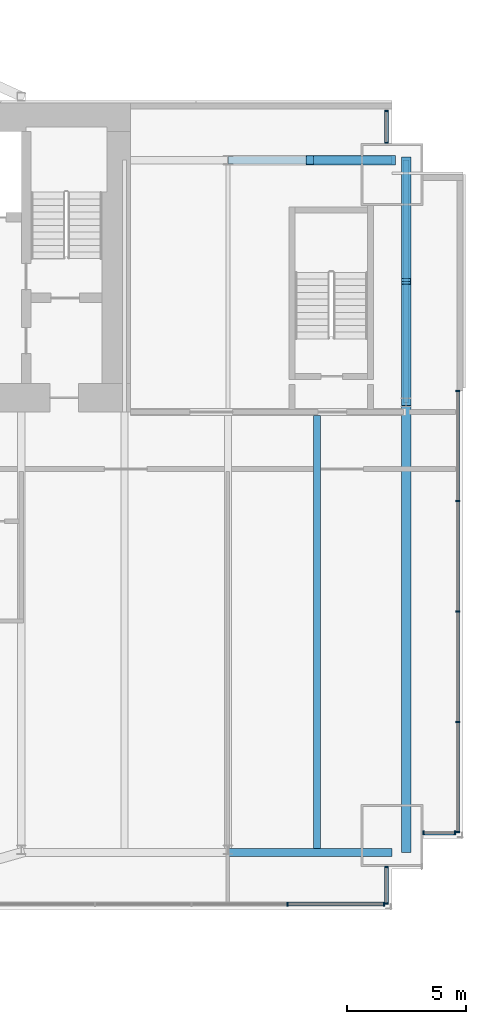
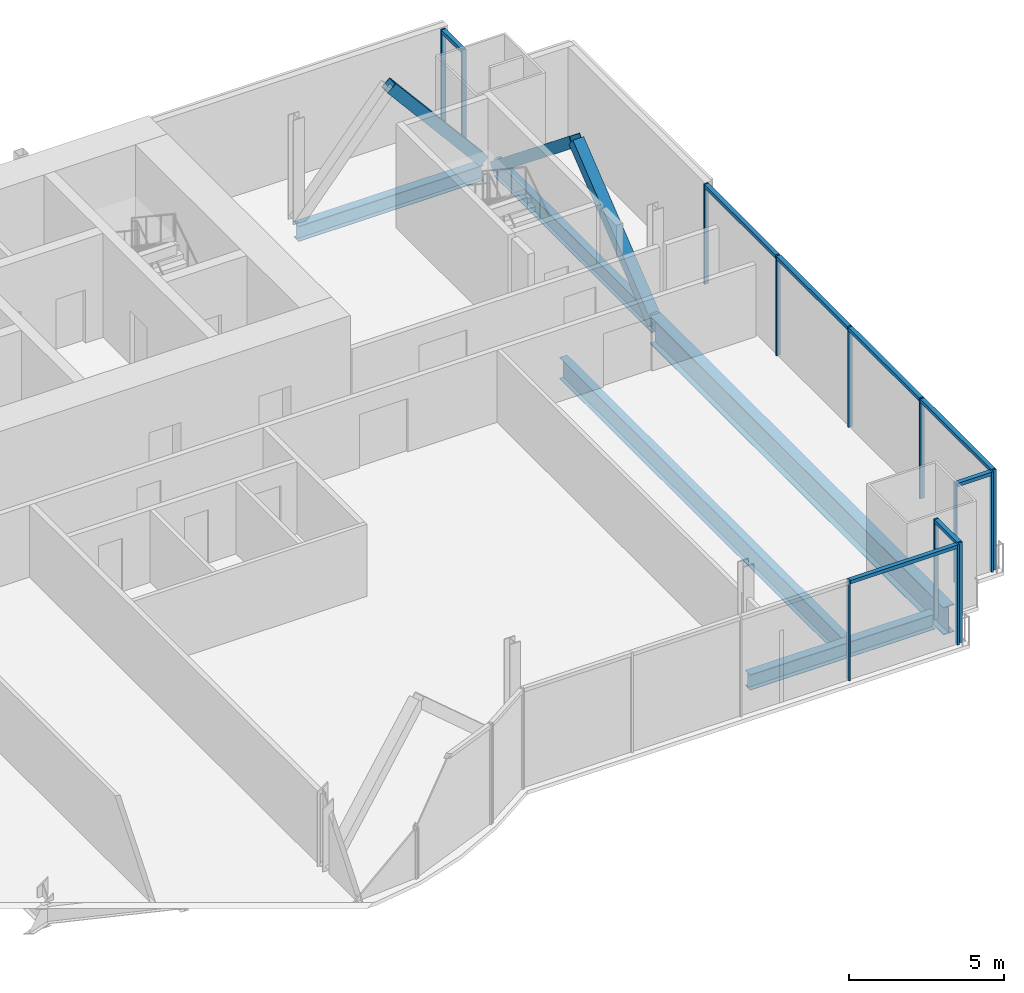
# One storey, part 12 of 20: 24 members, 5 beams, 5 elements without a shape of their own.
"""IFC4 building model written with IfcOpenShell, lengths in metres."""

from ifc_helpers import new_model, si_unit, direction, frame, origin, origin_2d, place, context, subcontext, project, spatial, rectangle, hollow_rectangle, i_section, extrude, material, material_profile, profile_set, type_object, element, aggregate, save


model = new_model("IFC4")

# Units and contexts
model_context = context("Model", 3, precision=1e-05, world=origin(), true_north=direction((0.0, 1.0)))
body_context = subcontext(model_context, "Body", "Model", "MODEL_VIEW")
ifc_project = project(units=[si_unit("LENGTHUNIT", "METRE"), si_unit("AREAUNIT", "SQUARE_METRE"), si_unit("VOLUMEUNIT", "CUBIC_METRE"), si_unit("PLANEANGLEUNIT", "RADIAN"), si_unit("MASSUNIT", "GRAM", prefix="KILO")], contexts=[model_context])

# Site, building, storey
site_placement = place(None, origin())
site = spatial("IfcSite", under=ifc_project, at=site_placement, CompositionType="ELEMENT")
building_placement = place(site_placement, origin())
building = spatial("IfcBuilding", under=site, at=building_placement, Name="Bicima Exchange Tower", CompositionType="ELEMENT")
storey_placement = place(building_placement, frame((0.0, 0.0, 177.300048828125)))
storey = spatial("IfcBuildingStorey", under=building, at=storey_placement, Name="L39", CompositionType="ELEMENT", Elevation=177.300048828125)

# Curtain wall, members
ifc_material_1 = material(Name="Anodised bronze aluminium", Category="aluminium")
curtain_wall_type_1 = type_object("IfcCurtainWallType", Name="End face glass wall", PredefinedType="NOTDEFINED", material=ifc_material_1)
curtain_wall_1_placement = place(storey_placement, origin())
curtain_wall_1 = element("IfcCurtainWall", 1, at=curtain_wall_1_placement, inside=storey, type_object=curtain_wall_type_1, Name="End face glass wall L39 run 19", PredefinedType="NOTDEFINED")
ifc_material_profile_1 = material_profile(ifc_material_1, rectangle(XDim=0.159912109375, YDim=0.06005859375, at=origin_2d()))
ifc_profile_set_1 = profile_set([ifc_material_profile_1], Name="Anodised bronze aluminium")
member_type_1 = type_object("IfcMemberType", Name="End face glass wall mullion 60 x 160", PredefinedType="MULLION", material=ifc_profile_set_1)
member_1_placement = place(storey_placement, frame((35.77001953125, -30.68798828125, 0.0), z_axis=(0.0, 0.0, 1.0), x_axis=(-1.0, 0.0, 0.0)))
member_1 = element("IfcMember", 2, at=member_1_placement, type_object=member_type_1, Name="End face glass wall mullion 1", PredefinedType="MULLION", context=body_context, shape_type="SweptSolid", body=[
    extrude(rectangle(XDim=0.159912109375, YDim=0.06005859375, at=origin_2d()), origin(), (0.0, 0.0, 1.0), 3.949951171875),
])
member_2_placement = place(storey_placement, frame((35.77001953125, -26.04345703125, 0.0), z_axis=(0.0, 0.0, 1.0), x_axis=(-1.0, 0.0, 0.0)))
member_2 = element("IfcMember", 3, at=member_2_placement, type_object=member_type_1, Name="End face glass wall mullion 2", PredefinedType="MULLION", context=body_context, shape_type="SweptSolid", body=[
    extrude(rectangle(XDim=0.159912109375, YDim=0.06005859375, at=origin_2d()), origin(), (0.0, 0.0, 1.0), 3.949951171875),
])
member_3_placement = place(storey_placement, frame((35.77001953125, -21.39892578125, 0.0), z_axis=(0.0, 0.0, 1.0), x_axis=(-1.0, 0.0, 0.0)))
member_3 = element("IfcMember", 4, at=member_3_placement, type_object=member_type_1, Name="End face glass wall mullion 3", PredefinedType="MULLION", context=body_context, shape_type="SweptSolid", body=[
    extrude(rectangle(XDim=0.159912109375, YDim=0.06005859375, at=origin_2d()), origin(), (0.0, 0.0, 1.0), 3.949951171875),
])
member_4_placement = place(storey_placement, frame((35.77001953125, -16.75439453125, 0.0), z_axis=(0.0, 0.0, 1.0), x_axis=(-1.0, 0.0, 0.0)))
member_4 = element("IfcMember", 5, at=member_4_placement, type_object=member_type_1, Name="End face glass wall mullion 4", PredefinedType="MULLION", context=body_context, shape_type="SweptSolid", body=[
    extrude(rectangle(XDim=0.159912109375, YDim=0.06005859375, at=origin_2d()), origin(), (0.0, 0.0, 1.0), 3.949951171875),
])
member_5_placement = place(storey_placement, frame((35.77001953125, -12.110107421875, 0.0), z_axis=(0.0, 0.0, 1.0), x_axis=(-1.0, 0.0, 0.0)))
member_5 = element("IfcMember", 6, at=member_5_placement, type_object=member_type_1, Name="End face glass wall mullion 5", PredefinedType="MULLION", context=body_context, shape_type="SweptSolid", body=[
    extrude(rectangle(XDim=0.159912109375, YDim=0.06005859375, at=origin_2d()), origin(), (0.0, 0.0, 1.0), 3.949951171875),
])
ifc_material_profile_2 = material_profile(ifc_material_1, rectangle(XDim=0.159912109375, YDim=0.139892578125, at=origin_2d()))
ifc_profile_set_2 = profile_set([ifc_material_profile_2], Name="Anodised bronze aluminium")
member_type_2 = type_object("IfcMemberType", Name="End face glass wall transom 140 x 160", PredefinedType="USERDEFINED", material=ifc_profile_set_2)
member_6_placement = place(storey_placement, frame((35.77001953125, -30.657958984375, 3.8798828125), z_axis=(0.0, 1.0, 0.0), x_axis=(-1.0, 0.0, 0.0)))
member_6 = element("IfcMember", 7, at=member_6_placement, type_object=member_type_2, Name="End face glass wall transom 1.1", ObjectType="TRANSOM", PredefinedType="USERDEFINED", context=body_context, shape_type="SweptSolid", body=[
    extrude(rectangle(XDim=0.159912109375, YDim=0.139892578125, at=origin_2d()), origin(), (0.0, 0.0, 1.0), 4.58447265625),
])
member_7_placement = place(storey_placement, frame((35.77001953125, -26.013427734375, 3.8798828125), z_axis=(0.0, 1.0, 0.0), x_axis=(-1.0, 0.0, 0.0)))
member_7 = element("IfcMember", 8, at=member_7_placement, type_object=member_type_2, Name="End face glass wall transom 2.1", ObjectType="TRANSOM", PredefinedType="USERDEFINED", context=body_context, shape_type="SweptSolid", body=[
    extrude(rectangle(XDim=0.159912109375, YDim=0.139892578125, at=origin_2d()), origin(), (0.0, 0.0, 1.0), 4.58447265625),
])
member_8_placement = place(storey_placement, frame((35.77001953125, -21.368896484375, 3.8798828125), z_axis=(0.0, 1.0, 0.0), x_axis=(-1.0, 0.0, 0.0)))
member_8 = element("IfcMember", 9, at=member_8_placement, type_object=member_type_2, Name="End face glass wall transom 3.1", ObjectType="TRANSOM", PredefinedType="USERDEFINED", context=body_context, shape_type="SweptSolid", body=[
    extrude(rectangle(XDim=0.159912109375, YDim=0.139892578125, at=origin_2d()), origin(), (0.0, 0.0, 1.0), 4.58447265625),
])
member_9_placement = place(storey_placement, frame((35.77001953125, -16.724609375, 3.8798828125), z_axis=(0.0, 1.0, 0.0), x_axis=(-1.0, 0.0, 0.0)))
member_9 = element("IfcMember", 10, at=member_9_placement, type_object=member_type_2, Name="End face glass wall transom 4.1", ObjectType="TRANSOM", PredefinedType="USERDEFINED", context=body_context, shape_type="SweptSolid", body=[
    extrude(rectangle(XDim=0.159912109375, YDim=0.139892578125, at=origin_2d()), origin(), (0.0, 0.0, 1.0), 4.584716796875),
])
aggregate(curtain_wall_1, [member_1, member_2, member_3, member_4, member_5, member_6, member_7, member_8, member_9])

# Beams
ifc_material_2 = material(Name="Steel ASTM A992 Gr 50", Category="steel")
ifc_material_profile_3 = material_profile(ifc_material_2, i_section(OverallWidth=0.256591796875, OverallDepth=0.693359375, WebThickness=0.014404296875, FlangeThickness=0.023681640625, at=origin_2d()))
ifc_profile_set_3 = profile_set([ifc_material_profile_3], Name="Steel ASTM A992 Gr 50")
beam_type_1 = type_object("IfcBeamType", Name="End girder W27x114", PredefinedType="BEAM", material=ifc_profile_set_3)
beam_1_placement = place(storey_placement, frame((33.60009765625, -2.39990234375, -0.496826171875), z_axis=(0.0, -1.0, 0.0), x_axis=(1.0, 0.0, 0.0)))
element("IfcBeam", 11, at=beam_1_placement, inside=storey, type_object=beam_type_1, Name="End girder", PredefinedType="BEAM", context=body_context, shape_type="SweptSolid", body=[
    extrude(i_section(OverallWidth=0.256591796875, OverallDepth=0.693359375, WebThickness=0.014404296875, FlangeThickness=0.023681640625, at=origin_2d()), origin(), (0.0, 0.0, 1.0), 10.2001953125),
])
ifc_material_profile_4 = material_profile(ifc_material_2, i_section(OverallWidth=0.4013671875, OverallDepth=1.089599609375, WebThickness=0.01806640625, FlangeThickness=0.031005859375, at=origin_2d()))
ifc_profile_set_4 = profile_set([ifc_material_profile_4], Name="Steel ASTM A992 Gr 50")
beam_type_2 = type_object("IfcBeamType", Name="End girder W44x230", PredefinedType="BEAM", material=ifc_profile_set_4)
beam_2_placement = place(storey_placement, frame((33.60009765625, -12.60009765625, -0.69482421875), z_axis=(0.0, -1.0, 0.0), x_axis=(1.0, 0.0, 0.0)))
element("IfcBeam", 12, at=beam_2_placement, inside=storey, type_object=beam_type_2, Name="End girder", PredefinedType="BEAM", context=body_context, shape_type="SweptSolid", body=[
    extrude(i_section(OverallWidth=0.4013671875, OverallDepth=1.089599609375, WebThickness=0.01806640625, FlangeThickness=0.031005859375, at=origin_2d()), origin(), (0.0, 0.0, 1.0), 18.947998046875),
])
ifc_material_profile_5 = material_profile(ifc_material_2, i_section(OverallWidth=0.2919921875, OverallDepth=0.835693359375, WebThickness=0.013916015625, FlangeThickness=0.018798828125, at=origin_2d()))
ifc_profile_set_5 = profile_set([ifc_material_profile_5], Name="Steel ASTM A992 Gr 50")
beam_type_3 = type_object("IfcBeamType", Name="Floor beam W33x118", PredefinedType="JOIST", material=ifc_profile_set_5)
beam_3_placement = place(storey_placement, frame((29.85009765625, -13.15234375, -0.56787109375), z_axis=(0.0, -1.0, 0.0), x_axis=(1.0, 0.0, 0.0)))
element("IfcBeam", 13, at=beam_3_placement, inside=storey, type_object=beam_type_3, Name="Floor beam", PredefinedType="JOIST", context=body_context, shape_type="SweptSolid", body=[
    extrude(i_section(OverallWidth=0.2919921875, OverallDepth=0.835693359375, WebThickness=0.013916015625, FlangeThickness=0.018798828125, at=origin_2d()), origin(), (0.0, 0.0, 1.0), 18.233154296875),
])
ifc_material_profile_6 = material_profile(ifc_material_2, i_section(OverallWidth=0.3251953125, OverallDepth=0.612060546875, WebThickness=0.0126953125, FlangeThickness=0.01904296875, at=origin_2d()))
ifc_profile_set_6 = profile_set([ifc_material_profile_6], Name="Steel ASTM A992 Gr 50")
beam_type_4 = type_object("IfcBeamType", Name="Front girder W24x104", PredefinedType="BEAM", material=ifc_profile_set_6)
beam_4_placement = place(storey_placement, frame((26.10009765625, -31.548095703125, -0.4560546875), z_axis=(1.0, 0.0, 0.0), x_axis=(0.0, 1.0, 0.0)))
element("IfcBeam", 14, at=beam_4_placement, inside=storey, type_object=beam_type_4, Name="Front girder", PredefinedType="BEAM", context=body_context, shape_type="SweptSolid", body=[
    extrude(i_section(OverallWidth=0.3251953125, OverallDepth=0.612060546875, WebThickness=0.0126953125, FlangeThickness=0.01904296875, at=origin_2d()), origin(), (0.0, 0.0, 1.0), 6.89990234375),
])

# Curtain wall, members
curtain_wall_type_2 = type_object("IfcCurtainWallType", Name="Front glass wall", PredefinedType="NOTDEFINED", material=ifc_material_1)
curtain_wall_2_placement = place(storey_placement, origin())
curtain_wall_2 = element("IfcCurtainWall", 15, at=curtain_wall_2_placement, inside=storey, type_object=curtain_wall_type_2, Name="Front glass wall L39 run 16", PredefinedType="NOTDEFINED")
member_type_3 = type_object("IfcMemberType", Name="Front glass wall mullion 60 x 160", PredefinedType="MULLION", material=ifc_profile_set_1)
member_10_placement = place(storey_placement, frame((28.610595703125, -33.718017578125, 0.0), z_axis=(0.0, 0.0, 1.0), x_axis=(0.0, 1.0, 0.0)))
member_10 = element("IfcMember", 16, at=member_10_placement, type_object=member_type_3, Name="Front glass wall mullion 4", PredefinedType="MULLION", context=body_context, shape_type="SweptSolid", body=[
    extrude(rectangle(XDim=0.159912109375, YDim=0.06005859375, at=origin_2d()), origin(), (0.0, 0.0, 1.0), 3.949951171875),
])
member_11_placement = place(storey_placement, frame((32.659912109375, -33.718017578125, 0.0), z_axis=(0.0, 0.0, 1.0), x_axis=(0.0, 1.0, 0.0)))
member_11 = element("IfcMember", 17, at=member_11_placement, type_object=member_type_3, Name="Front glass wall mullion 5", PredefinedType="MULLION", context=body_context, shape_type="SweptSolid", body=[
    extrude(rectangle(XDim=0.159912109375, YDim=0.06005859375, at=origin_2d()), origin(), (0.0, 0.0, 1.0), 3.949951171875),
])

curtain_wall_3_placement = place(storey_placement, origin())
curtain_wall_3 = element("IfcCurtainWall", 18, at=curtain_wall_3_placement, inside=storey, type_object=curtain_wall_type_2, Name="Front glass wall L39 run 17", PredefinedType="NOTDEFINED")
member_12_placement = place(storey_placement, frame((32.77001953125, -33.68798828125, 0.0), z_axis=(0.0, 0.0, 1.0), x_axis=(-1.0, 0.0, 0.0)))
member_12 = element("IfcMember", 19, at=member_12_placement, type_object=member_type_3, Name="Front glass wall mullion 1", PredefinedType="MULLION", context=body_context, shape_type="SweptSolid", body=[
    extrude(rectangle(XDim=0.159912109375, YDim=0.06005859375, at=origin_2d()), origin(), (0.0, 0.0, 1.0), 3.949951171875),
])
member_13_placement = place(storey_placement, frame((32.77001953125, -32.156005859375, 0.0), z_axis=(0.0, 0.0, 1.0), x_axis=(-1.0, 0.0, 0.0)))
member_13 = element("IfcMember", 20, at=member_13_placement, type_object=member_type_3, Name="Front glass wall mullion 2", PredefinedType="MULLION", context=body_context, shape_type="SweptSolid", body=[
    extrude(rectangle(XDim=0.159912109375, YDim=0.06005859375, at=origin_2d()), origin(), (0.0, 0.0, 1.0), 3.949951171875),
])

curtain_wall_4_placement = place(storey_placement, origin())
curtain_wall_4 = element("IfcCurtainWall", 21, at=curtain_wall_4_placement, inside=storey, type_object=curtain_wall_type_2, Name="Front glass wall L39 run 18", PredefinedType="NOTDEFINED")
member_14_placement = place(storey_placement, frame((34.330078125, -30.718017578125, 0.0), z_axis=(0.0, 0.0, 1.0), x_axis=(0.0, 1.0, 0.0)))
member_14 = element("IfcMember", 22, at=member_14_placement, type_object=member_type_3, Name="Front glass wall mullion 1", PredefinedType="MULLION", context=body_context, shape_type="SweptSolid", body=[
    extrude(rectangle(XDim=0.159912109375, YDim=0.06005859375, at=origin_2d()), origin(), (0.0, 0.0, 1.0), 3.949951171875),
])
member_15_placement = place(storey_placement, frame((35.659912109375, -30.718017578125, 0.0), z_axis=(0.0, 0.0, 1.0), x_axis=(0.0, 1.0, 0.0)))
member_15 = element("IfcMember", 23, at=member_15_placement, type_object=member_type_3, Name="Front glass wall mullion 2", PredefinedType="MULLION", context=body_context, shape_type="SweptSolid", body=[
    extrude(rectangle(XDim=0.159912109375, YDim=0.06005859375, at=origin_2d()), origin(), (0.0, 0.0, 1.0), 3.949951171875),
])

curtain_wall_5_placement = place(storey_placement, origin())
curtain_wall_5 = element("IfcCurtainWall", 24, at=curtain_wall_5_placement, inside=storey, type_object=curtain_wall_type_2, Name="Front glass wall L39 run 20", PredefinedType="NOTDEFINED")
member_16_placement = place(storey_placement, frame((32.77001953125, -1.669921875, 0.0), z_axis=(0.0, 0.0, 1.0), x_axis=(-1.0, 0.0, 0.0)))
member_16 = element("IfcMember", 25, at=member_16_placement, type_object=member_type_3, Name="Front glass wall mullion 1", PredefinedType="MULLION", context=body_context, shape_type="SweptSolid", body=[
    extrude(rectangle(XDim=0.159912109375, YDim=0.06005859375, at=origin_2d()), origin(), (0.0, 0.0, 1.0), 3.949951171875),
])
member_17_placement = place(storey_placement, frame((32.77001953125, -0.340087890625, 0.0), z_axis=(0.0, 0.0, 1.0), x_axis=(-1.0, 0.0, 0.0)))
member_17 = element("IfcMember", 26, at=member_17_placement, type_object=member_type_3, Name="Front glass wall mullion 2", PredefinedType="MULLION", context=body_context, shape_type="SweptSolid", body=[
    extrude(rectangle(XDim=0.159912109375, YDim=0.06005859375, at=origin_2d()), origin(), (0.0, 0.0, 1.0), 3.949951171875),
])

# Member
member_type_4 = type_object("IfcMemberType", Name="Front glass wall transom 140 x 160", PredefinedType="USERDEFINED", material=ifc_profile_set_2)
member_18_placement = place(storey_placement, frame((28.640380859375, -33.718017578125, 3.8798828125), z_axis=(1.0, 0.0, 0.0), x_axis=(0.0, 1.0, 0.0)))
member_18 = element("IfcMember", 27, at=member_18_placement, type_object=member_type_4, Name="Front glass wall transom 4.1", ObjectType="TRANSOM", PredefinedType="USERDEFINED", context=body_context, shape_type="SweptSolid", body=[
    extrude(rectangle(XDim=0.159912109375, YDim=0.139892578125, at=origin_2d()), origin(), (0.0, 0.0, 1.0), 3.989501953125),
])

aggregate(curtain_wall_2, [member_10, member_11, member_18])

member_19_placement = place(storey_placement, frame((32.77001953125, -33.657958984375, 3.8798828125), z_axis=(0.0, 1.0, 0.0), x_axis=(-1.0, 0.0, 0.0)))
member_19 = element("IfcMember", 28, at=member_19_placement, type_object=member_type_4, Name="Front glass wall transom 1.1", ObjectType="TRANSOM", PredefinedType="USERDEFINED", context=body_context, shape_type="SweptSolid", body=[
    extrude(rectangle(XDim=0.159912109375, YDim=0.139892578125, at=origin_2d()), origin(), (0.0, 0.0, 1.0), 1.471923828125),
])

aggregate(curtain_wall_3, [member_12, member_13, member_19])

member_20_placement = place(storey_placement, frame((34.360107421875, -30.718017578125, 3.8798828125), z_axis=(1.0, 0.0, 0.0), x_axis=(0.0, 1.0, 0.0)))
member_20 = element("IfcMember", 29, at=member_20_placement, type_object=member_type_4, Name="Front glass wall transom 1.1", ObjectType="TRANSOM", PredefinedType="USERDEFINED", context=body_context, shape_type="SweptSolid", body=[
    extrude(rectangle(XDim=0.159912109375, YDim=0.139892578125, at=origin_2d()), origin(), (0.0, 0.0, 1.0), 1.269775390625),
])

aggregate(curtain_wall_4, [member_14, member_15, member_20])

member_21_placement = place(storey_placement, frame((32.77001953125, -1.639892578125, 3.8798828125), z_axis=(0.0, 1.0, 0.0), x_axis=(-1.0, 0.0, 0.0)))
member_21 = element("IfcMember", 30, at=member_21_placement, type_object=member_type_4, Name="Front glass wall transom 1.1", ObjectType="TRANSOM", PredefinedType="USERDEFINED", context=body_context, shape_type="SweptSolid", body=[
    extrude(rectangle(XDim=0.159912109375, YDim=0.139892578125, at=origin_2d()), origin(), (0.0, 0.0, 1.0), 1.269775390625),
])

aggregate(curtain_wall_5, [member_16, member_17, member_21])

# Members
ifc_material_3 = material(Name="Steel ASTM A572 Gr 50", Category="steel")
ifc_material_profile_7 = material_profile(ifc_material_3, hollow_rectangle(XDim=0.406494140625, YDim=0.406494140625, WallThickness=0.017822265625, at=origin_2d()))
ifc_profile_set_7 = profile_set([ifc_material_profile_7], Name="Steel ASTM A572 Gr 50")
member_type_5 = type_object("IfcMemberType", Name="Mega brace HSS16x16x3/4", PredefinedType="BRACE", material=ifc_profile_set_7)
member_22_placement = place(storey_placement, frame((33.0, -2.39990234375, 0.0), z_axis=(-0.643856488545, 0.0, 0.765146275008), x_axis=(0.0, -1.0, 0.0)))
element("IfcMember", 31, at=member_22_placement, inside=storey, type_object=member_type_5, Name="Mega brace rear", PredefinedType="BRACE", context=body_context, shape_type="SweptSolid", body=[
    extrude(hollow_rectangle(XDim=0.406494140625, YDim=0.406494140625, WallThickness=0.017822265625, at=origin_2d()), origin(), (0.0, 0.0, 1.0), 5.358154296875),
])
for number, where, z_axis, x_axis, name in (
    (32, (33.60009765625, -2.39990234375, -0.496826171875), (0.0, -0.779374241895, 0.626558689247), (1.0, 0.0, 0.0), "Mega brace east end"),
    (33, (33.60009765625, -12.60009765625, -0.496826171875), (0.0, 0.779374241895, 0.626558689247), (-1.0, 0.0, 0.0), "Mega brace east end"),
):
    element("IfcMember", number, at=place(storey_placement, frame(where, z_axis=z_axis, x_axis=x_axis)), inside=storey, type_object=member_type_5, Name=name, PredefinedType="BRACE", context=body_context, shape_type="SweptSolid", body=[
        extrude(hollow_rectangle(XDim=0.406494140625, YDim=0.406494140625, WallThickness=0.017822265625, at=origin_2d()), origin(), (0.0, 0.0, 1.0), 6.5439453125),
    ])

# Beam
beam_type_5 = type_object("IfcBeamType", Name="Rear girder W24x104", PredefinedType="BEAM", material=ifc_profile_set_6)
beam_5_placement = place(storey_placement, frame((26.10009765625, -2.39990234375, -0.4560546875), z_axis=(1.0, 0.0, 0.0), x_axis=(0.0, 1.0, 0.0)))
element("IfcBeam", 34, at=beam_5_placement, inside=storey, type_object=beam_type_5, Name="Rear girder", PredefinedType="BEAM", context=body_context, shape_type="SweptSolid", body=[
    extrude(i_section(OverallWidth=0.3251953125, OverallDepth=0.612060546875, WebThickness=0.0126953125, FlangeThickness=0.01904296875, at=origin_2d()), origin(), (0.0, 0.0, 1.0), 6.89990234375),
])

save(model, "model.ifc")
